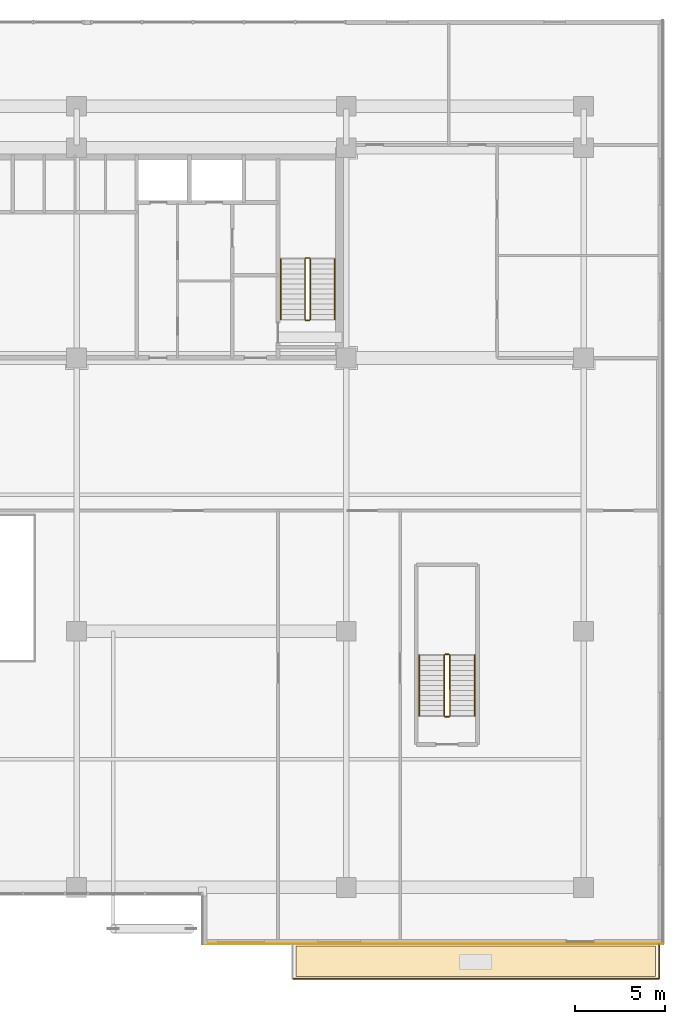
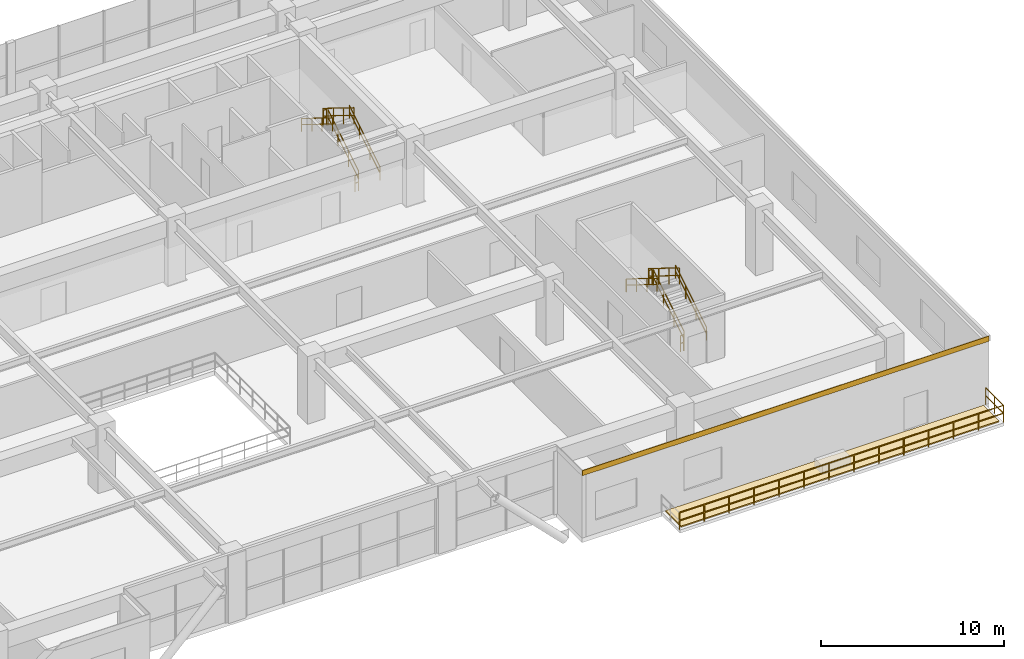
# One storey, part 23 of 24: 14 railings, 2 coverings.
"""IFC4 building model written with IfcOpenShell, lengths in metres."""

from ifc_helpers import new_model, si_unit, direction, frame, origin, origin_2d, place, context, subcontext, project, spatial, polyline, rectangle, outline, extrude, source, transform, mapped, material, layer, layer_set, type_object, element, save


model = new_model("IFC4")

# Units and contexts
model_context = context("Model", 3, precision=1e-05, world=origin(), true_north=direction((0.0, 1.0)))
body_context = subcontext(model_context, "Body", "Model", "MODEL_VIEW")
ifc_project = project(units=[si_unit("LENGTHUNIT", "METRE"), si_unit("AREAUNIT", "SQUARE_METRE"), si_unit("VOLUMEUNIT", "CUBIC_METRE"), si_unit("PLANEANGLEUNIT", "RADIAN"), si_unit("MASSUNIT", "GRAM", prefix="KILO")], contexts=[model_context])

# Site, building, storey
site_placement = place(None, origin())
site = spatial("IfcSite", under=ifc_project, at=site_placement, CompositionType="ELEMENT")
building_placement = place(site_placement, origin())
building = spatial("IfcBuilding", under=site, at=building_placement, Name="Trelvane Seafront Commons", CompositionType="ELEMENT")
storey_placement = place(building_placement, frame((0.0, 0.0, 9.699951171875)))
storey = spatial("IfcBuildingStorey", under=building, at=storey_placement, Name="L02", CompositionType="ELEMENT", Elevation=9.699951171875)

# Covering
ifc_material_1 = material(Name="Polymer-Modified Bitumen Membrane")
ifc_layer_1 = layer(ifc_material_1, 0.080078125, Name="ARCH-COV-ROOF80")
ifc_layer_set_1 = layer_set([ifc_layer_1], Name="Polymer-Modified Bitumen Membrane")
covering_type_1 = type_object("IfcCoveringType", Name="ARCH-COV-ROOF80", PredefinedType="ROOFING", material=ifc_layer_set_1)
covering_1_placement = place(storey_placement, origin())
element("IfcCovering", 1, at=covering_1_placement, inside=storey, type_object=covering_type_1, Name="COV-ROOF-L02-02", PredefinedType="ROOFING", context=body_context, shape_type="SweptSolid", body=[
    extrude(outline(polyline([(56.0, -1.0), (76.0, -1.0), (76.0, 0.699951171875), (56.0, 0.699951171875), (56.0, -1.0)])), origin(), (0.0, 0.0, 1.0), 0.080078125),
])

# Railings
ifc_material_2 = material(Name="Stainless steel balustrade", Category="steel")
railing_type_1 = type_object("IfcRailingType", Name="ARCH-RAIL-BAL1150", PredefinedType="BALUSTRADE", material=ifc_material_2)
railing_1_placement = place(storey_placement, frame((55.800048828125, -1.139892578125, 0.0)))
element("IfcRailing", 2, at=railing_1_placement, inside=storey, type_object=railing_type_1, Name="RL-L02-TR1-02", PredefinedType="BALUSTRADE", context=body_context, shape_type="SweptSolid", body=[
    extrude(rectangle(XDim=0.048095703125, YDim=0.048095703125, at=origin_2d()), frame((0.0, 0.0, 1.1259765625), z_axis=(1.0, 0.0, 0.0), x_axis=(0.0, 1.0, 0.0)), (0.0, 0.0, 1.0), 20.39990234375),
    extrude(rectangle(XDim=0.048095703125, YDim=0.048095703125, at=origin_2d()), frame((0.0, 0.0, 0.597900390625), z_axis=(1.0, 0.0, 0.0), x_axis=(0.0, 1.0, 0.0)), (0.0, 0.0, 1.0), 20.39990234375),
    extrude(rectangle(XDim=0.0419921875, YDim=0.0419921875, at=origin_2d()), origin(), (0.0, 0.0, 1.0), 1.1259765625),
    extrude(rectangle(XDim=0.0419921875, YDim=0.0419921875, at=origin_2d()), frame((1.5693359375, 0.0, 0.0)), (0.0, 0.0, 1.0), 1.1259765625),
    extrude(rectangle(XDim=0.0419921875, YDim=0.0419921875, at=origin_2d()), frame((3.138427734375, 0.0, 0.0)), (0.0, 0.0, 1.0), 1.1259765625),
    extrude(rectangle(XDim=0.0419921875, YDim=0.0419921875, at=origin_2d()), frame((4.707763671875, 0.0, 0.0)), (0.0, 0.0, 1.0), 1.1259765625),
    extrude(rectangle(XDim=0.0419921875, YDim=0.0419921875, at=origin_2d()), frame((6.27685546875, 0.0, 0.0)), (0.0, 0.0, 1.0), 1.1259765625),
    extrude(rectangle(XDim=0.0419921875, YDim=0.0419921875, at=origin_2d()), frame((7.84619140625, 0.0, 0.0)), (0.0, 0.0, 1.0), 1.1259765625),
    extrude(rectangle(XDim=0.0419921875, YDim=0.0419921875, at=origin_2d()), frame((9.415283203125, 0.0, 0.0)), (0.0, 0.0, 1.0), 1.1259765625),
    extrude(rectangle(XDim=0.0419921875, YDim=0.0419921875, at=origin_2d()), frame((10.984619140625, 0.0, 0.0)), (0.0, 0.0, 1.0), 1.1259765625),
    extrude(rectangle(XDim=0.0419921875, YDim=0.0419921875, at=origin_2d()), frame((12.5537109375, 0.0, 0.0)), (0.0, 0.0, 1.0), 1.1259765625),
    extrude(rectangle(XDim=0.0419921875, YDim=0.0419921875, at=origin_2d()), frame((14.123046875, 0.0, 0.0)), (0.0, 0.0, 1.0), 1.1259765625),
    extrude(rectangle(XDim=0.0419921875, YDim=0.0419921875, at=origin_2d()), frame((15.692138671875, 0.0, 0.0)), (0.0, 0.0, 1.0), 1.1259765625),
    extrude(rectangle(XDim=0.0419921875, YDim=0.0419921875, at=origin_2d()), frame((17.261474609375, 0.0, 0.0)), (0.0, 0.0, 1.0), 1.1259765625),
    extrude(rectangle(XDim=0.0419921875, YDim=0.0419921875, at=origin_2d()), frame((18.83056640625, 0.0, 0.0)), (0.0, 0.0, 1.0), 1.1259765625),
    extrude(rectangle(XDim=0.0419921875, YDim=0.0419921875, at=origin_2d()), frame((20.39990234375, 0.0, 0.0)), (0.0, 0.0, 1.0), 1.1259765625),
])
railing_2_placement = place(storey_placement, frame((76.199951171875, -1.139892578125, 0.0)))
element("IfcRailing", 3, at=railing_2_placement, inside=storey, type_object=railing_type_1, Name="RL-L02-TR1-03", PredefinedType="BALUSTRADE", context=body_context, shape_type="SweptSolid", body=[
    extrude(rectangle(XDim=0.048095703125, YDim=0.048095703125, at=origin_2d()), frame((0.0, 0.0, 1.1259765625), z_axis=(0.0, 1.0, 0.0), x_axis=(-1.0, 0.0, 0.0)), (0.0, 0.0, 1.0), 1.93994140625),
    extrude(rectangle(XDim=0.048095703125, YDim=0.048095703125, at=origin_2d()), frame((0.0, 0.0, 0.597900390625), z_axis=(0.0, 1.0, 0.0), x_axis=(-1.0, 0.0, 0.0)), (0.0, 0.0, 1.0), 1.93994140625),
    extrude(rectangle(XDim=0.0419921875, YDim=0.0419921875, at=origin_2d()), origin(), (0.0, 0.0, 1.0), 1.1259765625),
    extrude(rectangle(XDim=0.0419921875, YDim=0.0419921875, at=origin_2d()), frame((0.0, 0.969970703125, 0.0)), (0.0, 0.0, 1.0), 1.1259765625),
    extrude(rectangle(XDim=0.0419921875, YDim=0.0419921875, at=origin_2d()), frame((0.0, 1.93994140625, 0.0)), (0.0, 0.0, 1.0), 1.1259765625),
])
railing_type_2 = type_object("IfcRailingType", Name="ARCH-SRL-GUARD", PredefinedType="GUARDRAIL", material=ifc_material_2)
railing_3_placement = place(storey_placement, frame((56.800048828125, 35.550048828125, 0.173095703125)))
element("IfcRailing", 4, at=railing_3_placement, inside=storey, type_object=railing_type_2, Name="L02 ST-2 stair guard 1", PredefinedType="GUARDRAIL", context=body_context, shape_type="SweptSolid", body=[
    extrude(rectangle(XDim=0.048095703125, YDim=0.048095703125, at=origin_2d()), frame((0.0, 0.0, 1.076171875), z_axis=(0.0, 0.850606129759, 0.525803396734), x_axis=(-1.0, 0.0, 0.0)), (0.0, 0.0, 1.0), 3.949951171875),
    extrude(rectangle(XDim=0.048095703125, YDim=0.048095703125, at=origin_2d()), frame((0.0, 0.0, 0.572021484375), z_axis=(0.0, 0.850606129759, 0.525803396734), x_axis=(-1.0, 0.0, 0.0)), (0.0, 0.0, 1.0), 3.949951171875),
    extrude(rectangle(XDim=0.0419921875, YDim=0.0419921875, at=origin_2d()), origin(), (0.0, 0.0, 1.0), 1.076171875),
    extrude(rectangle(XDim=0.0419921875, YDim=0.0419921875, at=origin_2d()), frame((0.0, 1.119873046875, 0.6923828125)), (0.0, 0.0, 1.0), 1.076171875),
    extrude(rectangle(XDim=0.0419921875, YDim=0.0419921875, at=origin_2d()), frame((0.0, 2.239990234375, 1.384521484375)), (0.0, 0.0, 1.0), 1.076171875),
    extrude(rectangle(XDim=0.0419921875, YDim=0.0419921875, at=origin_2d()), frame((0.0, 3.35986328125, 2.076904296875)), (0.0, 0.0, 1.0), 1.076171875),
])
railing_4_placement = place(storey_placement, frame((56.75, 38.9599609375, 2.25)))
element("IfcRailing", 5, at=railing_4_placement, inside=storey, type_object=railing_type_2, Name="L02 ST-2 stair guard 2", PredefinedType="GUARDRAIL", context=body_context, shape_type="SweptSolid", body=[
    extrude(rectangle(XDim=0.048095703125, YDim=0.048095703125, at=origin_2d()), frame((0.0, 0.0, 1.076171875), z_axis=(-1.0, 0.0, 0.0), x_axis=(0.0, -1.0, 0.0)), (0.0, 0.0, 1.0), 0.199951171875),
    extrude(rectangle(XDim=0.048095703125, YDim=0.048095703125, at=origin_2d()), frame((0.0, 0.0, 0.572021484375), z_axis=(-1.0, 0.0, 0.0), x_axis=(0.0, -1.0, 0.0)), (0.0, 0.0, 1.0), 0.199951171875),
    extrude(rectangle(XDim=0.0419921875, YDim=0.0419921875, at=origin_2d()), origin(), (0.0, 0.0, 1.0), 1.076171875),
    extrude(rectangle(XDim=0.0419921875, YDim=0.0419921875, at=origin_2d()), frame((-0.199951171875, 0.0, 0.0)), (0.0, 0.0, 1.0), 1.076171875),
])
railing_5_placement = place(storey_placement, frame((56.5, 38.909912109375, 2.423095703125)))
element("IfcRailing", 6, at=railing_5_placement, inside=storey, type_object=railing_type_2, Name="L02 ST-2 stair guard 3", PredefinedType="GUARDRAIL", context=body_context, shape_type="SweptSolid", body=[
    extrude(rectangle(XDim=0.048095703125, YDim=0.048095703125, at=origin_2d()), frame((0.0, 0.0, 1.076171875), z_axis=(0.0, -0.850606129759, 0.525803396734), x_axis=(1.0, 0.0, 0.0)), (0.0, 0.0, 1.0), 3.949951171875),
    extrude(rectangle(XDim=0.048095703125, YDim=0.048095703125, at=origin_2d()), frame((0.0, 0.0, 0.572021484375), z_axis=(0.0, -0.850606129759, 0.525803396734), x_axis=(1.0, 0.0, 0.0)), (0.0, 0.0, 1.0), 3.949951171875),
    extrude(rectangle(XDim=0.0419921875, YDim=0.0419921875, at=origin_2d()), origin(), (0.0, 0.0, 1.0), 1.076171875),
    extrude(rectangle(XDim=0.0419921875, YDim=0.0419921875, at=origin_2d()), frame((0.0, -1.119873046875, 0.6923828125)), (0.0, 0.0, 1.0), 1.076171875),
    extrude(rectangle(XDim=0.0419921875, YDim=0.0419921875, at=origin_2d()), frame((0.0, -2.239990234375, 1.384521484375)), (0.0, 0.0, 1.0), 1.076171875),
    extrude(rectangle(XDim=0.0419921875, YDim=0.0419921875, at=origin_2d()), frame((0.0, -3.35986328125, 2.076904296875)), (0.0, 0.0, 1.0), 1.076171875),
])
railing_6_placement = place(storey_placement, frame((56.75, 35.5, 0.0)))
element("IfcRailing", 7, at=railing_6_placement, inside=storey, type_object=railing_type_2, Name="L02 ST-2 stair guard 4", PredefinedType="GUARDRAIL", context=body_context, shape_type="SweptSolid", body=[
    extrude(rectangle(XDim=0.048095703125, YDim=0.048095703125, at=origin_2d()), frame((0.0, 0.0, 1.076171875), z_axis=(-1.0, 0.0, 0.0), x_axis=(0.0, -1.0, 0.0)), (0.0, 0.0, 1.0), 0.199951171875),
    extrude(rectangle(XDim=0.048095703125, YDim=0.048095703125, at=origin_2d()), frame((0.0, 0.0, 0.572021484375), z_axis=(-1.0, 0.0, 0.0), x_axis=(0.0, -1.0, 0.0)), (0.0, 0.0, 1.0), 0.199951171875),
    extrude(rectangle(XDim=0.0419921875, YDim=0.0419921875, at=origin_2d()), origin(), (0.0, 0.0, 1.0), 1.076171875),
    extrude(rectangle(XDim=0.0419921875, YDim=0.0419921875, at=origin_2d()), frame((-0.199951171875, 0.0, 0.0)), (0.0, 0.0, 1.0), 1.076171875),
])
railing_7_placement = place(storey_placement, frame((64.550048828125, 13.5, 0.173095703125)))
element("IfcRailing", 8, at=railing_7_placement, inside=storey, type_object=railing_type_2, Name="L02 ST-4 stair guard 1", PredefinedType="GUARDRAIL", context=body_context, shape_type="SweptSolid", body=[
    extrude(rectangle(XDim=0.048095703125, YDim=0.048095703125, at=origin_2d()), frame((0.0, 0.0, 1.076171875), z_axis=(0.0, 0.850623216509, 0.525775754039), x_axis=(-1.0, 0.0, 0.0)), (0.0, 0.0, 1.0), 3.9501953125),
    extrude(rectangle(XDim=0.048095703125, YDim=0.048095703125, at=origin_2d()), frame((0.0, 0.0, 0.572021484375), z_axis=(0.0, 0.850623216509, 0.525775754039), x_axis=(-1.0, 0.0, 0.0)), (0.0, 0.0, 1.0), 3.9501953125),
    extrude(rectangle(XDim=0.0419921875, YDim=0.0419921875, at=origin_2d()), origin(), (0.0, 0.0, 1.0), 1.076171875),
    extrude(rectangle(XDim=0.0419921875, YDim=0.0419921875, at=origin_2d()), frame((0.0, 1.1201171875, 0.6923828125)), (0.0, 0.0, 1.0), 1.076171875),
    extrude(rectangle(XDim=0.0419921875, YDim=0.0419921875, at=origin_2d()), frame((0.0, 2.239990234375, 1.384521484375)), (0.0, 0.0, 1.0), 1.076171875),
    extrude(rectangle(XDim=0.0419921875, YDim=0.0419921875, at=origin_2d()), frame((0.0, 3.360107421875, 2.076904296875)), (0.0, 0.0, 1.0), 1.076171875),
])
railing_8_placement = place(storey_placement, frame((64.5, 16.909912109375, 2.25)))
element("IfcRailing", 9, at=railing_8_placement, inside=storey, type_object=railing_type_2, Name="L02 ST-4 stair guard 2", PredefinedType="GUARDRAIL", context=body_context, shape_type="SweptSolid", body=[
    extrude(rectangle(XDim=0.048095703125, YDim=0.048095703125, at=origin_2d()), frame((0.0, 0.0, 1.076171875), z_axis=(-1.0, 0.0, 0.0), x_axis=(0.0, -1.0, 0.0)), (0.0, 0.0, 1.0), 0.199951171875),
    extrude(rectangle(XDim=0.048095703125, YDim=0.048095703125, at=origin_2d()), frame((0.0, 0.0, 0.572021484375), z_axis=(-1.0, 0.0, 0.0), x_axis=(0.0, -1.0, 0.0)), (0.0, 0.0, 1.0), 0.199951171875),
    extrude(rectangle(XDim=0.0419921875, YDim=0.0419921875, at=origin_2d()), origin(), (0.0, 0.0, 1.0), 1.076171875),
    extrude(rectangle(XDim=0.0419921875, YDim=0.0419921875, at=origin_2d()), frame((-0.199951171875, 0.0, 0.0)), (0.0, 0.0, 1.0), 1.076171875),
])
railing_9_placement = place(storey_placement, frame((64.25, 16.860107421875, 2.423095703125)))
element("IfcRailing", 10, at=railing_9_placement, inside=storey, type_object=railing_type_2, Name="L02 ST-4 stair guard 3", PredefinedType="GUARDRAIL", context=body_context, shape_type="SweptSolid", body=[
    extrude(rectangle(XDim=0.048095703125, YDim=0.048095703125, at=origin_2d()), frame((0.0, 0.0, 1.076171875), z_axis=(0.0, -0.850623216509, 0.525775754039), x_axis=(1.0, 0.0, 0.0)), (0.0, 0.0, 1.0), 3.9501953125),
    extrude(rectangle(XDim=0.048095703125, YDim=0.048095703125, at=origin_2d()), frame((0.0, 0.0, 0.572021484375), z_axis=(0.0, -0.850623216509, 0.525775754039), x_axis=(1.0, 0.0, 0.0)), (0.0, 0.0, 1.0), 3.9501953125),
    extrude(rectangle(XDim=0.0419921875, YDim=0.0419921875, at=origin_2d()), origin(), (0.0, 0.0, 1.0), 1.076171875),
    extrude(rectangle(XDim=0.0419921875, YDim=0.0419921875, at=origin_2d()), frame((0.0, -1.1201171875, 0.6923828125)), (0.0, 0.0, 1.0), 1.076171875),
    extrude(rectangle(XDim=0.0419921875, YDim=0.0419921875, at=origin_2d()), frame((0.0, -2.239990234375, 1.384521484375)), (0.0, 0.0, 1.0), 1.076171875),
    extrude(rectangle(XDim=0.0419921875, YDim=0.0419921875, at=origin_2d()), frame((0.0, -3.360107421875, 2.076904296875)), (0.0, 0.0, 1.0), 1.076171875),
])
railing_10_placement = place(storey_placement, frame((64.5, 13.449951171875, 0.0)))
element("IfcRailing", 11, at=railing_10_placement, inside=storey, type_object=railing_type_2, Name="L02 ST-4 stair guard 4", PredefinedType="GUARDRAIL", context=body_context, shape_type="SweptSolid", body=[
    extrude(rectangle(XDim=0.048095703125, YDim=0.048095703125, at=origin_2d()), frame((0.0, 0.0, 1.076171875), z_axis=(-1.0, 0.0, 0.0), x_axis=(0.0, -1.0, 0.0)), (0.0, 0.0, 1.0), 0.199951171875),
    extrude(rectangle(XDim=0.048095703125, YDim=0.048095703125, at=origin_2d()), frame((0.0, 0.0, 0.572021484375), z_axis=(-1.0, 0.0, 0.0), x_axis=(0.0, -1.0, 0.0)), (0.0, 0.0, 1.0), 0.199951171875),
    extrude(rectangle(XDim=0.0419921875, YDim=0.0419921875, at=origin_2d()), origin(), (0.0, 0.0, 1.0), 1.076171875),
    extrude(rectangle(XDim=0.0419921875, YDim=0.0419921875, at=origin_2d()), frame((-0.199951171875, 0.0, 0.0)), (0.0, 0.0, 1.0), 1.076171875),
])
railing_type_3 = type_object("IfcRailingType", Name="ARCH-SRL-HAND", PredefinedType="HANDRAIL", material=ifc_material_2)
railing_11_placement = place(storey_placement, frame((58.14990234375, 35.550048828125, 0.173095703125)))
element("IfcRailing", 12, at=railing_11_placement, inside=storey, type_object=railing_type_3, Name="L02 ST-2 stair handrail 1", PredefinedType="HANDRAIL", context=body_context, shape_type="SweptSolid", body=[
    extrude(rectangle(XDim=0.048095703125, YDim=0.048095703125, at=origin_2d()), frame((0.0, 0.0, 0.8759765625), z_axis=(0.0, 0.850606129759, 0.525803396734), x_axis=(-1.0, 0.0, 0.0)), (0.0, 0.0, 1.0), 3.949951171875),
    extrude(rectangle(XDim=0.048095703125, YDim=0.048095703125, at=origin_2d()), frame((0.0, 0.0, 0.468017578125), z_axis=(0.0, 0.850606129759, 0.525803396734), x_axis=(-1.0, 0.0, 0.0)), (0.0, 0.0, 1.0), 3.949951171875),
    extrude(rectangle(XDim=0.0419921875, YDim=0.0419921875, at=origin_2d()), origin(), (0.0, 0.0, 1.0), 0.8759765625),
    extrude(rectangle(XDim=0.0419921875, YDim=0.0419921875, at=origin_2d()), frame((0.0, 1.119873046875, 0.6923828125)), (0.0, 0.0, 1.0), 0.8759765625),
    extrude(rectangle(XDim=0.0419921875, YDim=0.0419921875, at=origin_2d()), frame((0.0, 2.239990234375, 1.384521484375)), (0.0, 0.0, 1.0), 0.8759765625),
    extrude(rectangle(XDim=0.0419921875, YDim=0.0419921875, at=origin_2d()), frame((0.0, 3.35986328125, 2.076904296875)), (0.0, 0.0, 1.0), 0.8759765625),
])
railing_12_placement = place(storey_placement, frame((55.14990234375, 38.909912109375, 2.423095703125)))
element("IfcRailing", 13, at=railing_12_placement, inside=storey, type_object=railing_type_3, Name="L02 ST-2 stair handrail 2", PredefinedType="HANDRAIL", context=body_context, shape_type="SweptSolid", body=[
    extrude(rectangle(XDim=0.048095703125, YDim=0.048095703125, at=origin_2d()), frame((0.0, 0.0, 0.8759765625), z_axis=(0.0, -0.850606129759, 0.525803396734), x_axis=(1.0, 0.0, 0.0)), (0.0, 0.0, 1.0), 3.949951171875),
    extrude(rectangle(XDim=0.048095703125, YDim=0.048095703125, at=origin_2d()), frame((0.0, 0.0, 0.468017578125), z_axis=(0.0, -0.850606129759, 0.525803396734), x_axis=(1.0, 0.0, 0.0)), (0.0, 0.0, 1.0), 3.949951171875),
    extrude(rectangle(XDim=0.0419921875, YDim=0.0419921875, at=origin_2d()), origin(), (0.0, 0.0, 1.0), 0.8759765625),
    extrude(rectangle(XDim=0.0419921875, YDim=0.0419921875, at=origin_2d()), frame((0.0, -1.119873046875, 0.6923828125)), (0.0, 0.0, 1.0), 0.8759765625),
    extrude(rectangle(XDim=0.0419921875, YDim=0.0419921875, at=origin_2d()), frame((0.0, -2.239990234375, 1.384521484375)), (0.0, 0.0, 1.0), 0.8759765625),
    extrude(rectangle(XDim=0.0419921875, YDim=0.0419921875, at=origin_2d()), frame((0.0, -3.35986328125, 2.076904296875)), (0.0, 0.0, 1.0), 0.8759765625),
])
railing_13_placement = place(storey_placement, frame((65.949951171875, 13.5, 0.173095703125)))
element("IfcRailing", 14, at=railing_13_placement, inside=storey, type_object=railing_type_3, Name="L02 ST-4 stair handrail 1", PredefinedType="HANDRAIL", context=body_context, shape_type="SweptSolid", body=[
    extrude(rectangle(XDim=0.048095703125, YDim=0.048095703125, at=origin_2d()), frame((0.0, 0.0, 0.8759765625), z_axis=(0.0, 0.850623216509, 0.525775754039), x_axis=(-1.0, 0.0, 0.0)), (0.0, 0.0, 1.0), 3.9501953125),
    extrude(rectangle(XDim=0.048095703125, YDim=0.048095703125, at=origin_2d()), frame((0.0, 0.0, 0.468017578125), z_axis=(0.0, 0.850623216509, 0.525775754039), x_axis=(-1.0, 0.0, 0.0)), (0.0, 0.0, 1.0), 3.9501953125),
    extrude(rectangle(XDim=0.0419921875, YDim=0.0419921875, at=origin_2d()), origin(), (0.0, 0.0, 1.0), 0.8759765625),
    extrude(rectangle(XDim=0.0419921875, YDim=0.0419921875, at=origin_2d()), frame((0.0, 1.1201171875, 0.6923828125)), (0.0, 0.0, 1.0), 0.8759765625),
    extrude(rectangle(XDim=0.0419921875, YDim=0.0419921875, at=origin_2d()), frame((0.0, 2.239990234375, 1.384521484375)), (0.0, 0.0, 1.0), 0.8759765625),
    extrude(rectangle(XDim=0.0419921875, YDim=0.0419921875, at=origin_2d()), frame((0.0, 3.360107421875, 2.076904296875)), (0.0, 0.0, 1.0), 0.8759765625),
])
railing_14_placement = place(storey_placement, frame((62.85009765625, 16.860107421875, 2.423095703125)))
element("IfcRailing", 15, at=railing_14_placement, inside=storey, type_object=railing_type_3, Name="L02 ST-4 stair handrail 2", PredefinedType="HANDRAIL", context=body_context, shape_type="SweptSolid", body=[
    extrude(rectangle(XDim=0.048095703125, YDim=0.048095703125, at=origin_2d()), frame((0.0, 0.0, 0.8759765625), z_axis=(0.0, -0.850623216509, 0.525775754039), x_axis=(1.0, 0.0, 0.0)), (0.0, 0.0, 1.0), 3.9501953125),
    extrude(rectangle(XDim=0.048095703125, YDim=0.048095703125, at=origin_2d()), frame((0.0, 0.0, 0.468017578125), z_axis=(0.0, -0.850623216509, 0.525775754039), x_axis=(1.0, 0.0, 0.0)), (0.0, 0.0, 1.0), 3.9501953125),
    extrude(rectangle(XDim=0.0419921875, YDim=0.0419921875, at=origin_2d()), origin(), (0.0, 0.0, 1.0), 0.8759765625),
    extrude(rectangle(XDim=0.0419921875, YDim=0.0419921875, at=origin_2d()), frame((0.0, -1.1201171875, 0.6923828125)), (0.0, 0.0, 1.0), 0.8759765625),
    extrude(rectangle(XDim=0.0419921875, YDim=0.0419921875, at=origin_2d()), frame((0.0, -2.239990234375, 1.384521484375)), (0.0, 0.0, 1.0), 0.8759765625),
    extrude(rectangle(XDim=0.0419921875, YDim=0.0419921875, at=origin_2d()), frame((0.0, -3.360107421875, 2.076904296875)), (0.0, 0.0, 1.0), 0.8759765625),
])

# Covering
ifc_material_3 = material(Name="Anodised pale-silver aluminium", Category="aluminium")
ifc_layer_2 = layer(ifc_material_3, 0.034912109375, Name="ARCH-COV-CLAD35")
ifc_layer_set_2 = layer_set([ifc_layer_2], Name="Anodised pale-silver aluminium")
covering_type_2 = type_object("IfcCoveringType", Name="ARCH-COV-CLAD35", PredefinedType="CLADDING", material=ifc_layer_set_2)
shared_shape = source(origin(), body_context, "Body", "SweptSolid", [
    extrude(rectangle(XDim=25.60009765625, YDim=0.034912109375, at=origin_2d()), origin(), (0.0, 0.0, 1.0), 0.340087890625),
])
covering_2_placement = place(storey_placement, frame((63.60009765625, 0.800048828125, 4.16015625), z_axis=(0.0, 0.0, 1.0), x_axis=(-1.0, 0.0, 0.0)))
element("IfcCovering", 16, at=covering_2_placement, inside=storey, type_object=covering_type_2, Name="CLD-L02-00014", PredefinedType="CLADDING", context=body_context, shape_type="MappedRepresentation", body=[
    mapped(shared_shape, transform((0.0, 0.0, 0.0), x_axis=(1.0, 0.0, 0.0), y_axis=(0.0, 1.0, 0.0), z_axis=(0.0, 0.0, 1.0), scale=1.0)),
])

save(model, "model.ifc")
